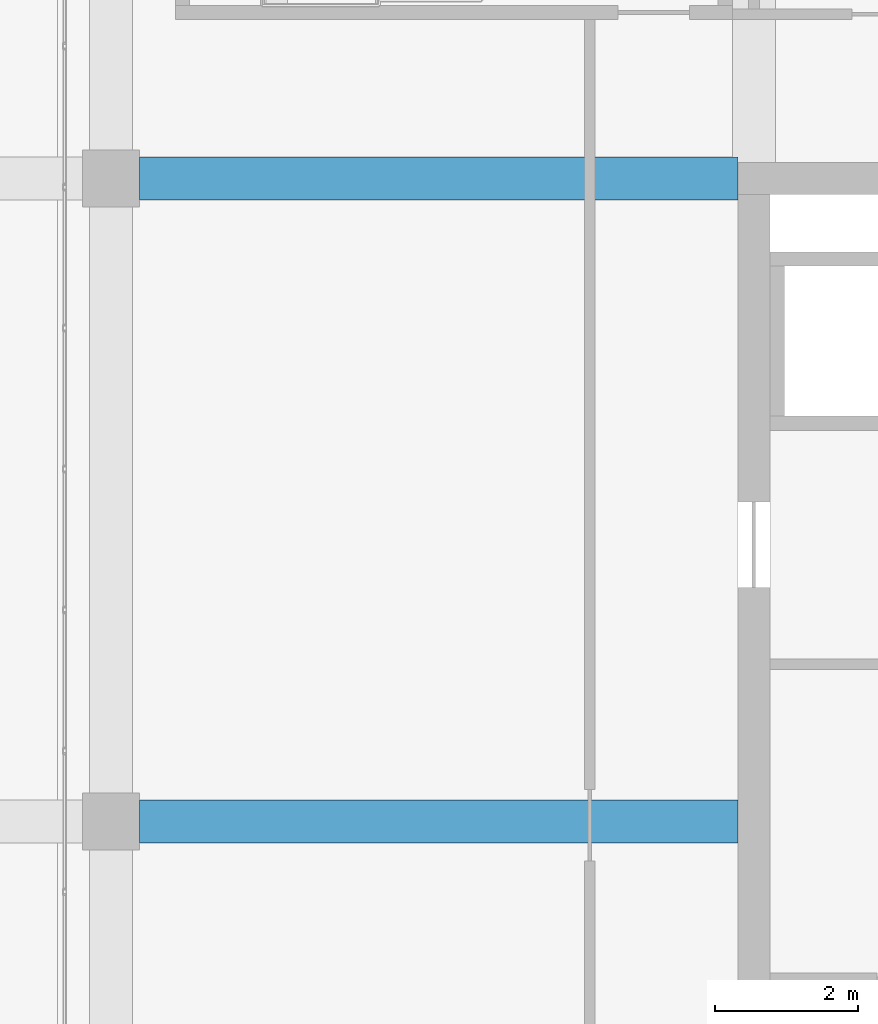
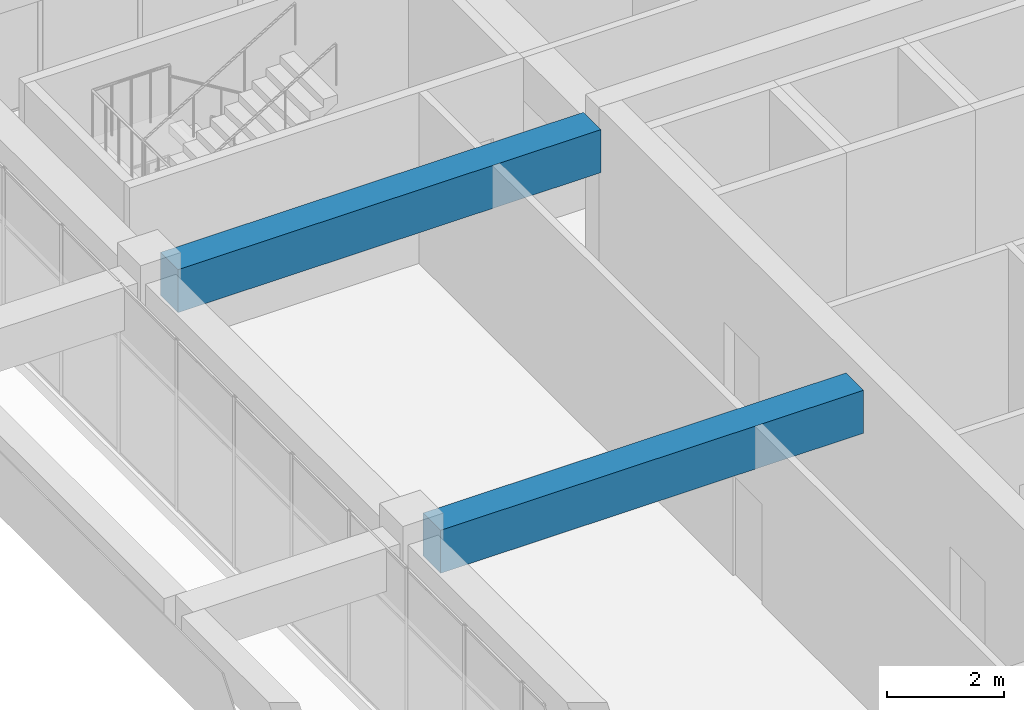
# One storey, part 20 of 52: 2 beams.
"""IFC4 building model written with IfcOpenShell, lengths in metres."""

import ifcopenshell
import ifcopenshell.guid

model = None  # the IFC model being written
_history = None  # IfcOwnerHistory: only IFC2X3 demands one
_inside = {}  # id of a spatial element -> (the spatial element, [elements in it])
_under = {}  # id of a project, library or spatial element -> (it, [spatial elements below it])
_declared = {}  # id of a project -> (the project, [libraries it declares])
_typed = {}  # id of a type object -> (the type object, [elements of that type])
_made_of = {}  # id of a material, layer set ... -> (it, [elements and type objects made of it])


def new_model(schema):
    """Start an empty IFC model of exactly this schema.

    Asked for "IFC4X3", IfcOpenShell would pick the latest addendum, in which some entities
    have other attributes; the version numbers below select the first issue.
    IFC2X3 requires an IfcOwnerHistory on every rooted entity: one is made here for all.
    """
    global model, _history
    if schema == "IFC4X3":
        model = ifcopenshell.file(schema_version=(4, 3, 0, 0))
    else:
        model = ifcopenshell.file(schema=schema)
    _inside.clear()
    _under.clear()
    _declared.clear()
    _typed.clear()
    _made_of.clear()
    _history = None
    if model.schema == "IFC2X3":
        org = make("IfcOrganization", Name="unknown")
        user = make(
            "IfcPersonAndOrganization",
            ThePerson=make("IfcPerson", FamilyName="unknown"),
            TheOrganization=org,
        )
        app = make(
            "IfcApplication",
            ApplicationDeveloper=org,
            Version="unknown",
            ApplicationFullName="unknown",
            ApplicationIdentifier="unknown",
        )
        _history = make(
            "IfcOwnerHistory",
            OwningUser=user,
            OwningApplication=app,
            ChangeAction="ADDED",
            CreationDate=0,
        )
    return model


def make(cls, **values):
    """One entity of the class cls with the attributes given. An attribute that is None is left unset."""
    return model.create_entity(
        cls, **{name: value for name, value in values.items() if value is not None}
    )


def rooted(cls, **values):
    """An entity with a GlobalId (a new one), such as an element, a storey or a relation."""
    return make(cls, GlobalId=ifcopenshell.guid.new(), OwnerHistory=_history, **values)


def si_unit(unit_type, name, prefix=None):
    """IfcSIUnit, for example si_unit("LENGTHUNIT", "METRE", prefix="MILLI")."""
    return make("IfcSIUnit", UnitType=unit_type, Prefix=prefix, Name=name)


def assignment(units):
    """IfcUnitAssignment: the units of a project."""
    return None if units is None else make("IfcUnitAssignment", Units=units)


def point(xyz):
    """IfcCartesianPoint."""
    return None if xyz is None else make("IfcCartesianPoint", Coordinates=xyz)


def direction(xyz):
    """IfcDirection."""
    return None if xyz is None else make("IfcDirection", DirectionRatios=xyz)


def frame(location, z_axis=None, x_axis=None):
    """IfcAxis2Placement3D, a coordinate frame: its origin and axes. An axis left out is left unset."""
    return make(
        "IfcAxis2Placement3D",
        Location=point(location),
        Axis=direction(z_axis),
        RefDirection=direction(x_axis),
    )


def frame_2d(location, x_axis=None):
    """IfcAxis2Placement2D, a coordinate frame in the plane: its origin and x axis."""
    return make(
        "IfcAxis2Placement2D", Location=point(location), RefDirection=direction(x_axis)
    )


def origin():
    """The frame at (0, 0, 0) with its axes left unset."""
    return frame((0.0, 0.0, 0.0))


def origin_2d():
    """The frame at (0, 0) in the plane with its x axis left unset."""
    return frame_2d((0.0, 0.0))


def place(relative_to, where):
    """IfcLocalPlacement: puts the frame where relative to a parent placement (None: the world)."""
    return make(
        "IfcLocalPlacement", PlacementRelTo=relative_to, RelativePlacement=where
    )


def context(
    kind, dimensions, precision=None, world=None, true_north=None, identifier=None
):
    """IfcGeometricRepresentationContext, for example the 3D "Model" context."""
    return make(
        "IfcGeometricRepresentationContext",
        ContextIdentifier=identifier,
        ContextType=kind,
        CoordinateSpaceDimension=dimensions,
        Precision=precision,
        WorldCoordinateSystem=world,
        TrueNorth=true_north,
    )


def subcontext(parent, identifier, kind, view, scale=None):
    """IfcGeometricRepresentationSubContext, for example "Body" below "Model"."""
    return make(
        "IfcGeometricRepresentationSubContext",
        ContextIdentifier=identifier,
        ContextType=kind,
        ParentContext=parent,
        TargetScale=scale,
        TargetView=view,
    )


def project(units=None, contexts=None):
    """IfcProject with its units and contexts."""
    return rooted(
        "IfcProject",
        Name="project",
        RepresentationContexts=contexts,
        UnitsInContext=assignment(units),
    )


def spatial(cls, under=None, at=None, **own):
    """A site, building, storey or space (cls), placed at a placement, below another one or the project."""
    s = rooted(cls, ObjectPlacement=at, **own)
    if under is not None:
        _under.setdefault(under.id(), (under, []))[1].append(s)
    return s


def profile(cls, at=None, kind="AREA", **sizes):
    """A parametric profile (cls). Its sizes go by their IFC names, for example OverallWidth=200.0."""
    return make(cls, ProfileType=kind, Position=at, **sizes)


def rectangle(**sizes):
    """IfcRectangleProfileDef."""
    return profile("IfcRectangleProfileDef", **sizes)


def extrude(swept, where, along, depth):
    """IfcExtrudedAreaSolid: the profile swept, set in the frame where, extruded along a direction by depth."""
    return make(
        "IfcExtrudedAreaSolid",
        SweptArea=swept,
        Position=where,
        ExtrudedDirection=direction(along),
        Depth=depth,
    )


def shape(context_of_items, identifier, shape_type, items):
    """IfcShapeRepresentation: the items that make up one representation, for example the "Body"."""
    return make(
        "IfcShapeRepresentation",
        ContextOfItems=context_of_items,
        RepresentationIdentifier=identifier,
        RepresentationType=shape_type,
        Items=items,
    )


def material(Name=None, Category=None):
    """IfcMaterial."""
    return make("IfcMaterial", Name=Name, Category=Category)


def material_profile(
    of_material, cross_section, Name=None, Category=None, Priority=None
):
    """IfcMaterialProfile: a cross section and its material."""
    return make(
        "IfcMaterialProfile",
        Name=Name,
        Material=of_material,
        Profile=cross_section,
        Priority=Priority,
        Category=Category,
    )


def profile_set(profiles, Name=None, composite=None):
    """IfcMaterialProfileSet."""
    return make(
        "IfcMaterialProfileSet",
        Name=Name,
        MaterialProfiles=profiles,
        CompositeProfile=composite,
    )


def made_of(thing, what):
    """Note that an element or type object is made of a material, layer set ...; save() writes the relation."""
    if what is not None:
        _made_of.setdefault(what.id(), (what, []))[1].append(thing)
    return thing


def type_object(cls, material=None, **own):
    """A type object (cls), such as IfcWallType, which elements share."""
    return made_of(rooted(cls, **own), material)


def element(
    cls,
    number,
    at=None,
    inside=None,
    cuts=None,
    type_object=None,
    material=None,
    context=None,
    identifier="Body",
    shape_type=None,
    held_by="IfcProductDefinitionShape",
    body=None,
    shapes=None,
    **own,
):
    """One element of the class cls, such as IfcWall. Its Tag is "e" and its number.

    at: its placement. inside: the storey or other place that contains it. cuts: it is an
    opening in that element (IfcRelVoidsElement). A single representation is given by context,
    identifier, shape_type and body (its items); several are given by shapes. held_by: the class
    of the entity that holds the representations. save() writes the other relations.
    """
    e = rooted(cls, Tag="e%d" % number, ObjectPlacement=at, **own)
    if body is not None:
        shapes = [shape(context, identifier, shape_type, body)]
    if shapes is not None:
        e.Representation = make(held_by, Representations=shapes)
    if inside is not None:
        _inside.setdefault(inside.id(), (inside, []))[1].append(e)
    if cuts is not None:
        rooted(
            "IfcRelVoidsElement", RelatingBuildingElement=cuts, RelatedOpeningElement=e
        )
    if type_object is not None:
        _typed.setdefault(type_object.id(), (type_object, []))[1].append(e)
    return made_of(e, material)


def aggregate(whole, parts):
    """IfcRelAggregates: a whole, such as a stair, and the parts it consists of."""
    return rooted("IfcRelAggregates", RelatingObject=whole, RelatedObjects=parts)


def save(model, path):
    """Write the relations noted so far, then the file.

    IfcRelAggregates (storeys below a building ...), IfcRelContainedInSpatialStructure (elements
    in a storey), IfcRelDefinesByType, IfcRelAssociatesMaterial and IfcRelDeclares: one each for
    every whole, place, type object, material and project.
    """
    for whole, parts in _under.values():
        aggregate(whole, parts)
    for where, things in _inside.values():
        rooted(
            "IfcRelContainedInSpatialStructure",
            RelatedElements=things,
            RelatingStructure=where,
        )
    for kind, things in _typed.values():
        rooted("IfcRelDefinesByType", RelatedObjects=things, RelatingType=kind)
    for what, things in _made_of.values():
        rooted("IfcRelAssociatesMaterial", RelatedObjects=things, RelatingMaterial=what)
    for by, libraries in _declared.values():
        rooted("IfcRelDeclares", RelatingContext=by, RelatedDefinitions=libraries)
    model.write(path)


model = new_model("IFC4")

# Units and contexts
model_context = context("Model", 3, precision=1e-05, world=origin(), true_north=direction((0.0, 1.0)))
body_context = subcontext(model_context, "Body", "Model", "MODEL_VIEW")
ifc_project = project(units=[si_unit("LENGTHUNIT", "METRE"), si_unit("AREAUNIT", "SQUARE_METRE"), si_unit("VOLUMEUNIT", "CUBIC_METRE"), si_unit("PLANEANGLEUNIT", "RADIAN"), si_unit("MASSUNIT", "GRAM", prefix="KILO")], contexts=[model_context])

# Site, building, storey
site_placement = place(None, origin())
site = spatial("IfcSite", under=ifc_project, at=site_placement, CompositionType="ELEMENT")
building_placement = place(site_placement, origin())
building = spatial("IfcBuilding", under=site, at=building_placement, Name="Tuart Plaza Theatre", CompositionType="ELEMENT")
storey_placement = place(building_placement, frame((0.0, 0.0, 25.5)))
storey = spatial("IfcBuildingStorey", under=building, at=storey_placement, Name="L06", CompositionType="ELEMENT", Elevation=25.5)

# Beams
ifc_material = material(Name="Concrete N40 (40 MPa)", Category="concrete")
ifc_material_profile = material_profile(ifc_material, rectangle(XDim=0.60009765625, YDim=0.89990234375, at=origin_2d()), Name="BEAM 600x900 Concrete N40 (40 MPa)")
ifc_profile_set = profile_set([ifc_material_profile], Name="Concrete N40 (40 MPa)")
beam_type = type_object("IfcBeamType", Name="BEAM 600x900 Concrete N40 (40 MPa)", PredefinedType="BEAM", material=ifc_profile_set)
for number, where, z_axis, x_axis, name in (
    (1, (114.39990234375, 74.0, 3.1298828125), (1.0, 0.0, 0.0), (0.0, 1.0, 0.0), "RB212"),
    (2, (114.39990234375, 83.0, 3.1298828125), (1.0, 0.0, 0.0), (0.0, 1.0, 0.0), "RB214"),
):
    element("IfcBeam", number, at=place(storey_placement, frame(where, z_axis=z_axis, x_axis=x_axis)), inside=storey, type_object=beam_type, Name=name, PredefinedType="BEAM", context=body_context, shape_type="SweptSolid", body=[
        extrude(rectangle(XDim=0.60009765625, YDim=0.89990234375, at=origin_2d()), origin(), (0.0, 0.0, 1.0), 8.375),
    ])

save(model, "model.ifc")
